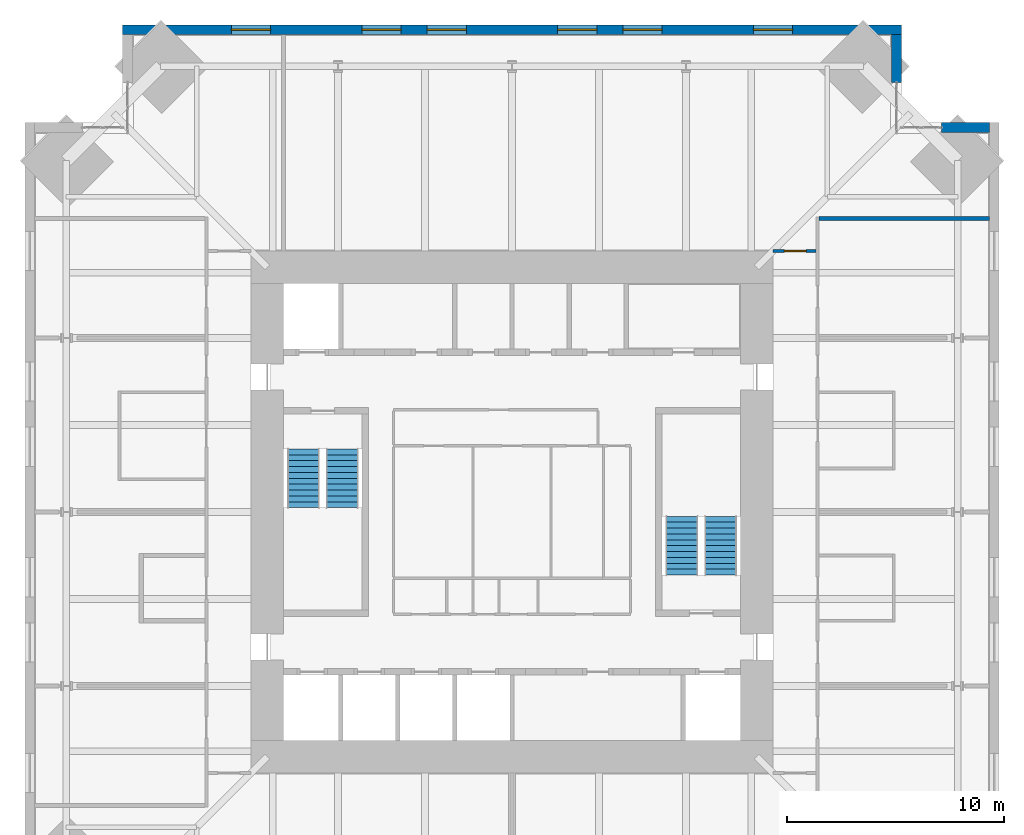
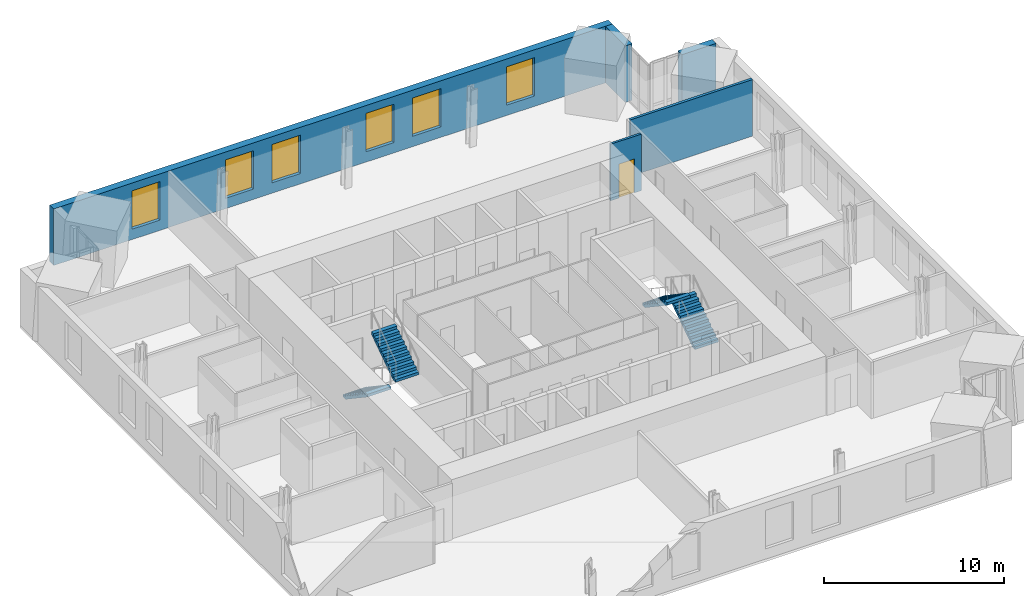
# One storey, part 16 of 17: 6 windows, 5 walls, 4 stair flights, 1 door, 7 openings, 2 elements without a shape of their own.
"""IFC4 building model written with IfcOpenShell, lengths in metres."""

from ifc_helpers import new_model, si_unit, direction, frame, frame_2d, origin, place, context, subcontext, project, spatial, polyline, rectangle, outline, extrude, material, layer, layer_set, type_object, element, fill, aggregate, save


model = new_model("IFC4")

# Units and contexts
model_context = context("Model", 3, precision=1e-05, world=origin(), true_north=direction((0.0, 1.0)))
body_context = subcontext(model_context, "Body", "Model", "MODEL_VIEW")
ifc_project = project(units=[si_unit("LENGTHUNIT", "METRE"), si_unit("AREAUNIT", "SQUARE_METRE"), si_unit("VOLUMEUNIT", "CUBIC_METRE"), si_unit("PLANEANGLEUNIT", "RADIAN"), si_unit("MASSUNIT", "GRAM", prefix="KILO")], contexts=[model_context])

# Site, building, storey
site_placement = place(None, origin())
site = spatial("IfcSite", under=ifc_project, at=site_placement, CompositionType="ELEMENT")
building_placement = place(site_placement, origin())
building = spatial("IfcBuilding", under=site, at=building_placement, Name="Peilmerk Tower", CompositionType="ELEMENT")
storey_placement = place(building_placement, frame((0.0, 0.0, 257.800048828125)))
storey = spatial("IfcBuildingStorey", under=building, at=storey_placement, Name="L57", CompositionType="ELEMENT", Elevation=257.800048828125)

# Wall, openings, windows
ifc_material_1 = material(Name="Precast concrete C45/55, board-marked finish", Category="concrete")
ifc_layer_1 = layer(ifc_material_1, 0.449951171875)
ifc_layer_set_1 = layer_set([ifc_layer_1], Name="Precast concrete C45/55, board-marked finish")
wall_type_1 = type_object("IfcWallType", Name="EW1 450 precast concrete facade wall, board-marked", PredefinedType="SOLIDWALL", material=ifc_layer_set_1)
wall_1_placement = place(storey_placement, frame((17.89990234375, 22.175048828125, 0.0), z_axis=(0.0, 0.0, 1.0), x_axis=(-1.0, 0.0, 0.0)))
wall_1 = element("IfcWall", 1, at=wall_1_placement, inside=storey, type_object=wall_type_1, Name="Facade wall N L57", PredefinedType="SOLIDWALL", context=body_context, shape_type="SweptSolid", body=[
    extrude(rectangle(XDim=35.7998046875, YDim=0.449951171875, at=frame_2d((17.89990234375, 0.0))), origin(), (0.0, 0.0, 1.0), 3.829833984375),
])
opening_1_placement = place(wall_1_placement, frame((5.0, 0.0, 0.699951171875)))
opening_1 = element("IfcOpeningElement", 2, at=opening_1_placement, cuts=wall_1, Name="Opening W1", PredefinedType="OPENING", context=body_context, shape_type="SweptSolid", body=[
    extrude(rectangle(XDim=1.800048828125, YDim=2.60009765625, at=frame_2d((0.89990234375, 1.300048828125))), frame((0.0, 0.23486328125, 0.0), z_axis=(0.0, -1.0, 0.0), x_axis=(1.0, 0.0, 0.0)), (0.0, 0.0, 1.0), 0.469970703125),
])
opening_2_placement = place(wall_1_placement, frame((11.0, 0.0, 0.699951171875)))
opening_2 = element("IfcOpeningElement", 3, at=opening_2_placement, cuts=wall_1, Name="Opening W1", PredefinedType="OPENING", context=body_context, shape_type="SweptSolid", body=[
    extrude(rectangle(XDim=1.800048828125, YDim=2.60009765625, at=frame_2d((0.89990234375, 1.300048828125))), frame((0.0, 0.23486328125, 0.0), z_axis=(0.0, -1.0, 0.0), x_axis=(1.0, 0.0, 0.0)), (0.0, 0.0, 1.0), 0.469970703125),
])
opening_3_placement = place(wall_1_placement, frame((14.0, 0.0, 0.699951171875)))
opening_3 = element("IfcOpeningElement", 4, at=opening_3_placement, cuts=wall_1, Name="Opening W1", PredefinedType="OPENING", context=body_context, shape_type="SweptSolid", body=[
    extrude(rectangle(XDim=1.800048828125, YDim=2.60009765625, at=frame_2d((0.89990234375, 1.300048828125))), frame((0.0, 0.23486328125, 0.0), z_axis=(0.0, -1.0, 0.0), x_axis=(1.0, 0.0, 0.0)), (0.0, 0.0, 1.0), 0.469970703125),
])
opening_4_placement = place(wall_1_placement, frame((20.0, 0.0, 0.699951171875)))
opening_4 = element("IfcOpeningElement", 5, at=opening_4_placement, cuts=wall_1, Name="Opening W1", PredefinedType="OPENING", context=body_context, shape_type="SweptSolid", body=[
    extrude(rectangle(XDim=1.800048828125, YDim=2.60009765625, at=frame_2d((0.89990234375, 1.300048828125))), frame((0.0, 0.23486328125, 0.0), z_axis=(0.0, -1.0, 0.0), x_axis=(1.0, 0.0, 0.0)), (0.0, 0.0, 1.0), 0.469970703125),
])
opening_5_placement = place(wall_1_placement, frame((23.0, 0.0, 0.699951171875)))
opening_5 = element("IfcOpeningElement", 6, at=opening_5_placement, cuts=wall_1, Name="Opening W1", PredefinedType="OPENING", context=body_context, shape_type="SweptSolid", body=[
    extrude(rectangle(XDim=1.800048828125, YDim=2.60009765625, at=frame_2d((0.89990234375, 1.300048828125))), frame((0.0, 0.23486328125, 0.0), z_axis=(0.0, -1.0, 0.0), x_axis=(1.0, 0.0, 0.0)), (0.0, 0.0, 1.0), 0.469970703125),
])
opening_6_placement = place(wall_1_placement, frame((29.0, 0.0, 0.699951171875)))
opening_6 = element("IfcOpeningElement", 7, at=opening_6_placement, cuts=wall_1, Name="Opening W1", PredefinedType="OPENING", context=body_context, shape_type="SweptSolid", body=[
    extrude(rectangle(XDim=1.800048828125, YDim=2.60009765625, at=frame_2d((0.89990234375, 1.300048828125))), frame((0.0, 0.23486328125, 0.0), z_axis=(0.0, -1.0, 0.0), x_axis=(1.0, 0.0, 0.0)), (0.0, 0.0, 1.0), 0.469970703125),
])
ifc_material_2 = material(Name="Aluminium frame, clear double glazing", Category="aluminium")
window_type = type_object("IfcWindowType", Name="W1 1800x2600 office window", PartitioningType="SINGLE_PANEL", PredefinedType="WINDOW", material=ifc_material_2)
window_1_placement = place(opening_1_placement, origin())
window_1 = element("IfcWindow", 8, at=window_1_placement, inside=storey, type_object=window_type, Name="Window W1 L57", OverallHeight=2.60009765625, OverallWidth=1.800048828125, PartitioningType="SINGLE_PANEL", PredefinedType="WINDOW", context=body_context, shape_type="SweptSolid", body=[
    extrude(rectangle(XDim=1.800048828125, YDim=2.60009765625, at=frame_2d((0.89990234375, 1.300048828125))), frame((0.0, 0.030029296875, 0.0), z_axis=(0.0, -1.0, 0.0), x_axis=(1.0, 0.0, 0.0)), (0.0, 0.0, 1.0), 0.06005859375),
])
fill(opening_1, window_1)
window_2_placement = place(opening_2_placement, origin())
window_2 = element("IfcWindow", 9, at=window_2_placement, inside=storey, type_object=window_type, Name="Window W1 L57", OverallHeight=2.60009765625, OverallWidth=1.800048828125, PartitioningType="SINGLE_PANEL", PredefinedType="WINDOW", context=body_context, shape_type="SweptSolid", body=[
    extrude(rectangle(XDim=1.800048828125, YDim=2.60009765625, at=frame_2d((0.89990234375, 1.300048828125))), frame((0.0, 0.030029296875, 0.0), z_axis=(0.0, -1.0, 0.0), x_axis=(1.0, 0.0, 0.0)), (0.0, 0.0, 1.0), 0.06005859375),
])
fill(opening_2, window_2)
window_3_placement = place(opening_3_placement, origin())
window_3 = element("IfcWindow", 10, at=window_3_placement, inside=storey, type_object=window_type, Name="Window W1 L57", OverallHeight=2.60009765625, OverallWidth=1.800048828125, PartitioningType="SINGLE_PANEL", PredefinedType="WINDOW", context=body_context, shape_type="SweptSolid", body=[
    extrude(rectangle(XDim=1.800048828125, YDim=2.60009765625, at=frame_2d((0.89990234375, 1.300048828125))), frame((0.0, 0.030029296875, 0.0), z_axis=(0.0, -1.0, 0.0), x_axis=(1.0, 0.0, 0.0)), (0.0, 0.0, 1.0), 0.06005859375),
])
fill(opening_3, window_3)
window_4_placement = place(opening_4_placement, origin())
window_4 = element("IfcWindow", 11, at=window_4_placement, inside=storey, type_object=window_type, Name="Window W1 L57", OverallHeight=2.60009765625, OverallWidth=1.800048828125, PartitioningType="SINGLE_PANEL", PredefinedType="WINDOW", context=body_context, shape_type="SweptSolid", body=[
    extrude(rectangle(XDim=1.800048828125, YDim=2.60009765625, at=frame_2d((0.89990234375, 1.300048828125))), frame((0.0, 0.030029296875, 0.0), z_axis=(0.0, -1.0, 0.0), x_axis=(1.0, 0.0, 0.0)), (0.0, 0.0, 1.0), 0.06005859375),
])
fill(opening_4, window_4)
window_5_placement = place(opening_5_placement, origin())
window_5 = element("IfcWindow", 12, at=window_5_placement, inside=storey, type_object=window_type, Name="Window W1 L57", OverallHeight=2.60009765625, OverallWidth=1.800048828125, PartitioningType="SINGLE_PANEL", PredefinedType="WINDOW", context=body_context, shape_type="SweptSolid", body=[
    extrude(rectangle(XDim=1.800048828125, YDim=2.60009765625, at=frame_2d((0.89990234375, 1.300048828125))), frame((0.0, 0.030029296875, 0.0), z_axis=(0.0, -1.0, 0.0), x_axis=(1.0, 0.0, 0.0)), (0.0, 0.0, 1.0), 0.06005859375),
])
fill(opening_5, window_5)
window_6_placement = place(opening_6_placement, origin())
window_6 = element("IfcWindow", 13, at=window_6_placement, inside=storey, type_object=window_type, Name="Window W1 L57", OverallHeight=2.60009765625, OverallWidth=1.800048828125, PartitioningType="SINGLE_PANEL", PredefinedType="WINDOW", context=body_context, shape_type="SweptSolid", body=[
    extrude(rectangle(XDim=1.800048828125, YDim=2.60009765625, at=frame_2d((0.89990234375, 1.300048828125))), frame((0.0, 0.030029296875, 0.0), z_axis=(0.0, -1.0, 0.0), x_axis=(1.0, 0.0, 0.0)), (0.0, 0.0, 1.0), 0.06005859375),
])
fill(opening_6, window_6)

# Walls
for number, where, z_axis, x_axis, name in (
    (14, (17.675048828125, 19.753662109375, 0.0), (0.0, 0.0, 1.0), (0.0, 1.0, 0.0), "Facade wall NEA L57"),
    (15, (19.753662109375, 17.675048828125, 0.0), (0.0, 0.0, 1.0), (1.0, 0.0, 0.0), "Facade wall NEB L57"),
):
    element("IfcWall", number, at=place(storey_placement, frame(where, z_axis=z_axis, x_axis=x_axis)), inside=storey, type_object=wall_type_1, Name=name, PredefinedType="SOLIDWALL", context=body_context, shape_type="SweptSolid", body=[
        extrude(rectangle(XDim=2.1962890625, YDim=0.449951171875, at=frame_2d((1.09814453125, 0.0))), origin(), (0.0, 0.0, 1.0), 3.829833984375),
    ])

# Wall, opening, door
ifc_material_3 = material(Name="Calcium silicate block", Category="masonry")
ifc_layer_2 = layer(ifc_material_3, 0.14990234375)
ifc_layer_set_2 = layer_set([ifc_layer_2], Name="Calcium silicate block")
wall_type_2 = type_object("IfcWallType", Name="IW1 150 corridor partition, EI 60", PredefinedType="PARTITIONING", material=ifc_layer_set_2)
wall_2_placement = place(storey_placement, frame((12.0, 12.0, 0.0), z_axis=(0.0, 0.0, 1.0), x_axis=(1.0, 0.0, 0.0)))
wall_2 = element("IfcWall", 16, at=wall_2_placement, inside=storey, type_object=wall_type_2, Name="Corridor wall NE L57", PredefinedType="PARTITIONING", context=body_context, shape_type="SweptSolid", body=[
    extrude(rectangle(XDim=1.97509765625, YDim=0.14990234375, at=frame_2d((0.987548828125, 0.0))), origin(), (0.0, 0.0, 1.0), 3.829833984375),
])
opening_7_placement = place(wall_2_placement, frame((0.52490234375, 0.0, 0.0)))
opening_7 = element("IfcOpeningElement", 17, at=opening_7_placement, cuts=wall_2, Name="Opening D1", PredefinedType="OPENING", context=body_context, shape_type="SweptSolid", body=[
    extrude(rectangle(XDim=1.0, YDim=2.300048828125, at=frame_2d((0.5, 1.14990234375))), frame((0.0, 0.0849609375, 0.0), z_axis=(0.0, -1.0, 0.0), x_axis=(1.0, 0.0, 0.0)), (0.0, 0.0, 1.0), 0.169921875),
])
ifc_material_4 = material(Name="Timber door in steel frame", Category="steel")
door_type = type_object("IfcDoorType", Name="D1 1000x2300 room door, EI2 30", OperationType="SINGLE_SWING_LEFT", PredefinedType="DOOR", material=ifc_material_4)
door_placement = place(opening_7_placement, origin())
door = element("IfcDoor", 18, at=door_placement, inside=storey, type_object=door_type, Name="Door Office L57", OperationType="SINGLE_SWING_LEFT", OverallHeight=2.300048828125, OverallWidth=1.0, PredefinedType="DOOR", context=body_context, shape_type="SweptSolid", body=[
    extrude(rectangle(XDim=1.0, YDim=2.300048828125, at=frame_2d((0.5, 1.14990234375))), frame((0.0, 0.02490234375, 0.0), z_axis=(0.0, -1.0, 0.0), x_axis=(1.0, 0.0, 0.0)), (0.0, 0.0, 1.0), 0.050048828125),
])
fill(opening_7, door)

# Wall
ifc_layer_3 = layer(ifc_material_3, 0.175048828125)
ifc_layer_set_3 = layer_set([ifc_layer_3], Name="Calcium silicate block")
wall_type_3 = type_object("IfcWallType", Name="IW8 175 tenant separating wall, EI 60", PredefinedType="PARTITIONING", material=ifc_layer_set_3)
wall_3_placement = place(storey_placement, frame((14.125, 13.5, 0.0), z_axis=(0.0, 0.0, 1.0), x_axis=(1.0, 0.0, 0.0)))
element("IfcWall", 19, at=wall_3_placement, inside=storey, type_object=wall_type_3, Name="Tenant separating wall NE L57", PredefinedType="PARTITIONING", context=body_context, shape_type="SweptSolid", body=[
    extrude(rectangle(XDim=7.824951171875, YDim=0.175048828125, at=frame_2d((3.91259765625, 0.0))), origin(), (0.0, 0.0, 1.0), 3.829833984375),
])

# Stair, stair flights
ifc_material_5 = material(Name="Precast concrete C45/55", Category="concrete")
stair_type_1 = type_object("IfcStairType", Name="ST1 22 risers of 181.8", PredefinedType="HALF_TURN_STAIR", material=ifc_material_5)
stair_1_placement = place(storey_placement, origin())
stair_1 = element("IfcStair", 20, at=stair_1_placement, inside=storey, type_object=stair_type_1, Name="Stair 1 L57 to L58", PredefinedType="HALF_TURN_STAIR")
stair_flight_type = type_object("IfcStairFlightType", Name="SF11 flight, 11 risers of 181.8", PredefinedType="STRAIGHT", material=ifc_material_5)
stair_flight_1_placement = place(storey_placement, frame((-9.60009765625, 2.89990234375, 0.0), z_axis=(0.0, 0.0, 1.0), x_axis=(0.0, -1.0, 0.0)))
stair_flight_1 = element("IfcStairFlight", 21, at=stair_flight_1_placement, type_object=stair_flight_type, Name="ST1 flight 1", NumberOfRisers=11, NumberOfTreads=10, PredefinedType="STRAIGHT", RiserHeight=0.181818182, TreadLength=0.27, context=body_context, shape_type="SweptSolid", body=[
    extrude(outline(polyline([(0.0, 0.0), (0.0, 0.181884765625), (0.27001953125, 0.181884765625), (0.27001953125, 0.363525390625), (0.5400390625, 0.363525390625), (0.5400390625, 0.54541015625), (0.81005859375, 0.54541015625), (0.81005859375, 0.727294921875), (1.080078125, 0.727294921875), (1.080078125, 0.9091796875), (1.35009765625, 0.9091796875), (1.35009765625, 1.0908203125), (1.6201171875, 1.0908203125), (1.6201171875, 1.272705078125), (1.889892578125, 1.272705078125), (1.889892578125, 1.45458984375), (2.159912109375, 1.45458984375), (2.159912109375, 1.636474609375), (2.429931640625, 1.636474609375), (2.429931640625, 1.818115234375), (2.699951171875, 1.818115234375), (2.699951171875, 2.0), (2.699951171875, 1.637451171875), (0.268310546875, 0.0), (0.0, 0.0)])), frame((0.0, 0.75, 0.0), z_axis=(0.0, -1.0, 0.0), x_axis=(1.0, 0.0, 0.0)), (0.0, 0.0, 1.0), 1.5),
])
stair_flight_2_placement = place(storey_placement, frame((-7.800048828125, 0.199951171875, 2.0), z_axis=(0.0, 0.0, 1.0), x_axis=(0.0, 1.0, 0.0)))
stair_flight_2 = element("IfcStairFlight", 22, at=stair_flight_2_placement, type_object=stair_flight_type, Name="ST1 flight 2", NumberOfRisers=11, NumberOfTreads=10, PredefinedType="STRAIGHT", RiserHeight=0.181818182, TreadLength=0.27, context=body_context, shape_type="SweptSolid", body=[
    extrude(outline(polyline([(0.0, 0.0), (0.0, 0.181884765625), (0.27001953125, 0.181884765625), (0.27001953125, 0.363525390625), (0.5400390625, 0.363525390625), (0.5400390625, 0.54541015625), (0.81005859375, 0.54541015625), (0.81005859375, 0.727294921875), (1.080078125, 0.727294921875), (1.080078125, 0.9091796875), (1.35009765625, 0.9091796875), (1.35009765625, 1.0908203125), (1.6201171875, 1.0908203125), (1.6201171875, 1.272705078125), (1.889892578125, 1.272705078125), (1.889892578125, 1.45458984375), (2.159912109375, 1.45458984375), (2.159912109375, 1.636474609375), (2.429931640625, 1.636474609375), (2.429931640625, 1.818115234375), (2.699951171875, 1.818115234375), (2.699951171875, 2.0), (2.699951171875, 1.637451171875), (0.268310546875, 0.0), (0.0, 0.0)])), frame((0.0, 0.75, 0.0), z_axis=(0.0, -1.0, 0.0), x_axis=(1.0, 0.0, 0.0)), (0.0, 0.0, 1.0), 1.5),
])
aggregate(stair_1, [stair_flight_1, stair_flight_2])

stair_type_2 = type_object("IfcStairType", Name="ST2 22 risers of 181.8", PredefinedType="HALF_TURN_STAIR", material=ifc_material_5)
stair_2_placement = place(storey_placement, origin())
stair_2 = element("IfcStair", 23, at=stair_2_placement, inside=storey, type_object=stair_type_2, Name="Stair 2 L57 to L58", PredefinedType="HALF_TURN_STAIR")
stair_flight_3_placement = place(storey_placement, frame((9.60009765625, -2.89990234375, 0.0), z_axis=(0.0, 0.0, 1.0), x_axis=(0.0, 1.0, 0.0)))
stair_flight_3 = element("IfcStairFlight", 24, at=stair_flight_3_placement, type_object=stair_flight_type, Name="ST2 flight 1", NumberOfRisers=11, NumberOfTreads=10, PredefinedType="STRAIGHT", RiserHeight=0.181818182, TreadLength=0.27, context=body_context, shape_type="SweptSolid", body=[
    extrude(outline(polyline([(0.0, 0.0), (0.0, 0.181884765625), (0.27001953125, 0.181884765625), (0.27001953125, 0.363525390625), (0.5400390625, 0.363525390625), (0.5400390625, 0.54541015625), (0.81005859375, 0.54541015625), (0.81005859375, 0.727294921875), (1.080078125, 0.727294921875), (1.080078125, 0.9091796875), (1.35009765625, 0.9091796875), (1.35009765625, 1.0908203125), (1.6201171875, 1.0908203125), (1.6201171875, 1.272705078125), (1.889892578125, 1.272705078125), (1.889892578125, 1.45458984375), (2.159912109375, 1.45458984375), (2.159912109375, 1.636474609375), (2.429931640625, 1.636474609375), (2.429931640625, 1.818115234375), (2.699951171875, 1.818115234375), (2.699951171875, 2.0), (2.699951171875, 1.637451171875), (0.268310546875, 0.0), (0.0, 0.0)])), frame((0.0, 0.75, 0.0), z_axis=(0.0, -1.0, 0.0), x_axis=(1.0, 0.0, 0.0)), (0.0, 0.0, 1.0), 1.5),
])
stair_flight_4_placement = place(storey_placement, frame((7.800048828125, -0.199951171875, 2.0), z_axis=(0.0, 0.0, 1.0), x_axis=(0.0, -1.0, 0.0)))
stair_flight_4 = element("IfcStairFlight", 25, at=stair_flight_4_placement, type_object=stair_flight_type, Name="ST2 flight 2", NumberOfRisers=11, NumberOfTreads=10, PredefinedType="STRAIGHT", RiserHeight=0.181818182, TreadLength=0.27, context=body_context, shape_type="SweptSolid", body=[
    extrude(outline(polyline([(0.0, 0.0), (0.0, 0.181884765625), (0.27001953125, 0.181884765625), (0.27001953125, 0.363525390625), (0.5400390625, 0.363525390625), (0.5400390625, 0.54541015625), (0.81005859375, 0.54541015625), (0.81005859375, 0.727294921875), (1.080078125, 0.727294921875), (1.080078125, 0.9091796875), (1.35009765625, 0.9091796875), (1.35009765625, 1.0908203125), (1.6201171875, 1.0908203125), (1.6201171875, 1.272705078125), (1.889892578125, 1.272705078125), (1.889892578125, 1.45458984375), (2.159912109375, 1.45458984375), (2.159912109375, 1.636474609375), (2.429931640625, 1.636474609375), (2.429931640625, 1.818115234375), (2.699951171875, 1.818115234375), (2.699951171875, 2.0), (2.699951171875, 1.637451171875), (0.268310546875, 0.0), (0.0, 0.0)])), frame((0.0, 0.75, 0.0), z_axis=(0.0, -1.0, 0.0), x_axis=(1.0, 0.0, 0.0)), (0.0, 0.0, 1.0), 1.5),
])
aggregate(stair_2, [stair_flight_3, stair_flight_4])

save(model, "model.ifc")
